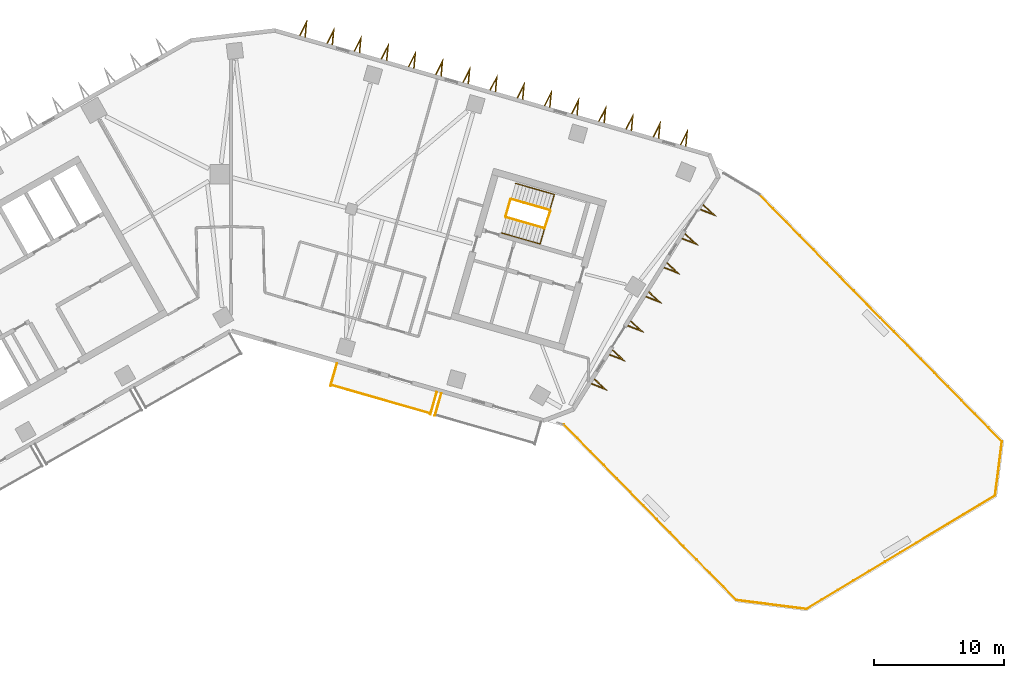
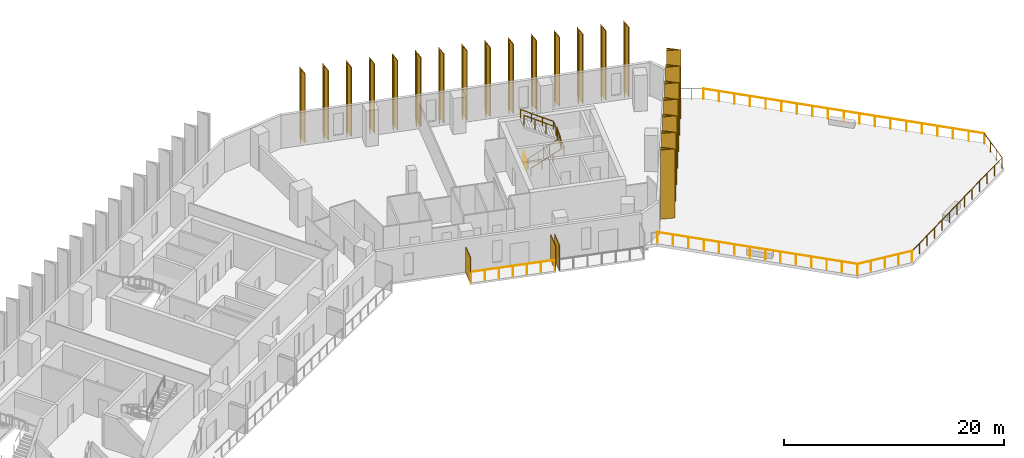
# One storey, part 10 of 12: 25 shading devices, 10 railings.
"""IFC4 building model written with IfcOpenShell, lengths in metres."""

from ifc_helpers import new_model, si_unit, direction, frame, origin, origin_2d, place, context, subcontext, project, spatial, polyline, rectangle, circle, outline, extrude, material, layer, layer_set, type_object, element, save


model = new_model("IFC4")

# Units and contexts
model_context = context("Model", 3, precision=1e-05, world=origin(), true_north=direction((0.0, 1.0)))
body_context = subcontext(model_context, "Body", "Model", "MODEL_VIEW")
ifc_project = project(units=[si_unit("LENGTHUNIT", "METRE"), si_unit("AREAUNIT", "SQUARE_METRE"), si_unit("VOLUMEUNIT", "CUBIC_METRE"), si_unit("PLANEANGLEUNIT", "RADIAN"), si_unit("MASSUNIT", "GRAM", prefix="KILO")], contexts=[model_context])

# Site, building, storey
site_placement = place(None, origin())
site = spatial("IfcSite", under=ifc_project, at=site_placement, CompositionType="ELEMENT")
building_placement = place(site_placement, origin())
building = spatial("IfcBuilding", under=site, at=building_placement, Name="Binnacle Exchange Tower", CompositionType="ELEMENT")
storey_placement = place(building_placement, frame((0.0, 0.0, 154.89990234375)))
storey = spatial("IfcBuildingStorey", under=building, at=storey_placement, Name="L32", CompositionType="ELEMENT", Elevation=154.89990234375)

# Railings
ifc_material_1 = material(Name="Bronze anodised aluminium frame", Category="aluminium")
railing_type_1 = type_object("IfcRailingType", Name="GUARD 1200", PredefinedType="GUARDRAIL", material=ifc_material_1)
railing_1_placement = place(storey_placement, frame((7.6845703125, 43.85107421875, 0.0)))
element("IfcRailing", 1, at=railing_1_placement, inside=storey, type_object=railing_type_1, Name="Balcony guard G02-B01 L32", PredefinedType="GUARDRAIL", context=body_context, shape_type="SweptSolid", body=[
    extrude(circle(Radius=0.02392578125, at=origin_2d()), frame((0.0, 0.0, 1.17578125), z_axis=(0.961265805968, -0.275623022035, 0.0), x_axis=(0.275623022035, 0.961265805968, 0.0)), (0.0, 0.0, 1.0), 7.900146484375),
    extrude(circle(Radius=0.02099609375, at=origin_2d()), origin(), (0.0, 0.0, 1.0), 1.15185546875),
    extrude(circle(Radius=0.02099609375, at=origin_2d()), frame((1.265625, -0.36279296875, 0.0)), (0.0, 0.0, 1.0), 1.15185546875),
    extrude(circle(Radius=0.02099609375, at=origin_2d()), frame((2.531494140625, -0.725830078125, 0.0)), (0.0, 0.0, 1.0), 1.15185546875),
    extrude(circle(Radius=0.02099609375, at=origin_2d()), frame((3.797119140625, -1.0888671875, 0.0)), (0.0, 0.0, 1.0), 1.15185546875),
    extrude(circle(Radius=0.02099609375, at=origin_2d()), frame((5.062744140625, -1.45166015625, 0.0)), (0.0, 0.0, 1.0), 1.15185546875),
    extrude(circle(Radius=0.02099609375, at=origin_2d()), frame((6.32861328125, -1.814453125, 0.0)), (0.0, 0.0, 1.0), 1.15185546875),
    extrude(circle(Radius=0.02099609375, at=origin_2d()), frame((7.59423828125, -2.177490234375, 0.0)), (0.0, 0.0, 1.0), 1.15185546875),
])
railing_2_placement = place(storey_placement, frame((25.543212890625, 40.811279296875, 0.0)))
element("IfcRailing", 2, at=railing_2_placement, inside=storey, type_object=railing_type_1, Name="Terrace guard 2 Terrace T3", PredefinedType="GUARDRAIL", context=body_context, shape_type="SweptSolid", body=[
    extrude(circle(Radius=0.02392578125, at=origin_2d()), frame((0.0, 0.0, 1.17578125), z_axis=(0.700904616523, -0.713255016482, 0.0), x_axis=(0.713255016482, 0.700904616523, 0.0)), (0.0, 0.0, 1.0), 18.8583984375),
    extrude(circle(Radius=0.02099609375, at=origin_2d()), origin(), (0.0, 0.0, 1.0), 1.15185546875),
    extrude(circle(Radius=0.02099609375, at=origin_2d()), frame((1.016845703125, -1.03466796875, 0.0)), (0.0, 0.0, 1.0), 1.15185546875),
    extrude(circle(Radius=0.02099609375, at=origin_2d()), frame((2.033447265625, -2.0693359375, 0.0)), (0.0, 0.0, 1.0), 1.15185546875),
    extrude(circle(Radius=0.02099609375, at=origin_2d()), frame((3.05029296875, -3.10400390625, 0.0)), (0.0, 0.0, 1.0), 1.15185546875),
    extrude(circle(Radius=0.02099609375, at=origin_2d()), frame((4.067138671875, -4.138671875, 0.0)), (0.0, 0.0, 1.0), 1.15185546875),
    extrude(circle(Radius=0.02099609375, at=origin_2d()), frame((5.083740234375, -5.17333984375, 0.0)), (0.0, 0.0, 1.0), 1.15185546875),
    extrude(circle(Radius=0.02099609375, at=origin_2d()), frame((6.1005859375, -6.2080078125, 0.0)), (0.0, 0.0, 1.0), 1.15185546875),
    extrude(circle(Radius=0.02099609375, at=origin_2d()), frame((7.117431640625, -7.242919921875, 0.0)), (0.0, 0.0, 1.0), 1.15185546875),
    extrude(circle(Radius=0.02099609375, at=origin_2d()), frame((8.13427734375, -8.277587890625, 0.0)), (0.0, 0.0, 1.0), 1.15185546875),
    extrude(circle(Radius=0.02099609375, at=origin_2d()), frame((9.15087890625, -9.312255859375, 0.0)), (0.0, 0.0, 1.0), 1.15185546875),
    extrude(circle(Radius=0.02099609375, at=origin_2d()), frame((10.167724609375, -10.346923828125, 0.0)), (0.0, 0.0, 1.0), 1.15185546875),
    extrude(circle(Radius=0.02099609375, at=origin_2d()), frame((11.1845703125, -11.381591796875, 0.0)), (0.0, 0.0, 1.0), 1.15185546875),
    extrude(circle(Radius=0.02099609375, at=origin_2d()), frame((12.201171875, -12.416259765625, 0.0)), (0.0, 0.0, 1.0), 1.15185546875),
    extrude(circle(Radius=0.02099609375, at=origin_2d()), frame((13.218017578125, -13.450927734375, 0.0)), (0.0, 0.0, 1.0), 1.15185546875),
])
railing_3_placement = place(storey_placement, frame((38.76123046875, 27.3603515625, 0.0)))
element("IfcRailing", 3, at=railing_3_placement, inside=storey, type_object=railing_type_1, Name="Terrace guard 3 Terrace T3", PredefinedType="GUARDRAIL", context=body_context, shape_type="SweptSolid", body=[
    extrude(circle(Radius=0.02392578125, at=origin_2d()), frame((0.0, 0.0, 1.17578125), z_axis=(0.992009555916, -0.126162755879, 0.0), x_axis=(0.126162755879, 0.992009555916, 0.0)), (0.0, 0.0, 1.0), 5.393310546875),
    extrude(circle(Radius=0.02099609375, at=origin_2d()), origin(), (0.0, 0.0, 1.0), 1.15185546875),
    extrude(circle(Radius=0.02099609375, at=origin_2d()), frame((1.33740234375, -0.170166015625, 0.0)), (0.0, 0.0, 1.0), 1.15185546875),
    extrude(circle(Radius=0.02099609375, at=origin_2d()), frame((2.675048828125, -0.34033203125, 0.0)), (0.0, 0.0, 1.0), 1.15185546875),
    extrude(circle(Radius=0.02099609375, at=origin_2d()), frame((4.0126953125, -0.51025390625, 0.0)), (0.0, 0.0, 1.0), 1.15185546875),
    extrude(circle(Radius=0.02099609375, at=origin_2d()), frame((5.35009765625, -0.680419921875, 0.0)), (0.0, 0.0, 1.0), 1.15185546875),
])
railing_4_placement = place(storey_placement, frame((44.111328125, 26.679931640625, 0.0)))
element("IfcRailing", 4, at=railing_4_placement, inside=storey, type_object=railing_type_1, Name="Terrace guard 4 Terrace T3", PredefinedType="GUARDRAIL", context=body_context, shape_type="SweptSolid", body=[
    extrude(circle(Radius=0.02392578125, at=origin_2d()), frame((0.0, 0.0, 1.17578125), z_axis=(0.857176183662, 0.515023290894, 0.0), x_axis=(-0.515023290894, 0.857176183662, 0.0)), (0.0, 0.0, 1.0), 16.875244140625),
    extrude(circle(Radius=0.02099609375, at=origin_2d()), origin(), (0.0, 0.0, 1.0), 1.15185546875),
    extrude(circle(Radius=0.02099609375, at=origin_2d()), frame((1.205322265625, 0.724365234375, 0.0)), (0.0, 0.0, 1.0), 1.15185546875),
    extrude(circle(Radius=0.02099609375, at=origin_2d()), frame((2.410888671875, 1.448486328125, 0.0)), (0.0, 0.0, 1.0), 1.15185546875),
    extrude(circle(Radius=0.02099609375, at=origin_2d()), frame((3.6162109375, 2.1728515625, 0.0)), (0.0, 0.0, 1.0), 1.15185546875),
    extrude(circle(Radius=0.02099609375, at=origin_2d()), frame((4.82177734375, 2.89697265625, 0.0)), (0.0, 0.0, 1.0), 1.15185546875),
    extrude(circle(Radius=0.02099609375, at=origin_2d()), frame((6.027099609375, 3.621337890625, 0.0)), (0.0, 0.0, 1.0), 1.15185546875),
    extrude(circle(Radius=0.02099609375, at=origin_2d()), frame((7.232421875, 4.345703125, 0.0)), (0.0, 0.0, 1.0), 1.15185546875),
    extrude(circle(Radius=0.02099609375, at=origin_2d()), frame((8.43798828125, 5.06982421875, 0.0)), (0.0, 0.0, 1.0), 1.15185546875),
    extrude(circle(Radius=0.02099609375, at=origin_2d()), frame((9.643310546875, 5.794189453125, 0.0)), (0.0, 0.0, 1.0), 1.15185546875),
    extrude(circle(Radius=0.02099609375, at=origin_2d()), frame((10.848876953125, 6.518310546875, 0.0)), (0.0, 0.0, 1.0), 1.15185546875),
    extrude(circle(Radius=0.02099609375, at=origin_2d()), frame((12.05419921875, 7.24267578125, 0.0)), (0.0, 0.0, 1.0), 1.15185546875),
    extrude(circle(Radius=0.02099609375, at=origin_2d()), frame((13.259765625, 7.966796875, 0.0)), (0.0, 0.0, 1.0), 1.15185546875),
    extrude(circle(Radius=0.02099609375, at=origin_2d()), frame((14.465087890625, 8.691162109375, 0.0)), (0.0, 0.0, 1.0), 1.15185546875),
])
railing_5_placement = place(storey_placement, frame((58.576416015625, 35.37109375, 0.0)))
element("IfcRailing", 5, at=railing_5_placement, inside=storey, type_object=railing_type_1, Name="Terrace guard 5 Terrace T3", PredefinedType="GUARDRAIL", context=body_context, shape_type="SweptSolid", body=[
    extrude(circle(Radius=0.02392578125, at=origin_2d()), frame((0.0, 0.0, 1.17578125), z_axis=(0.126201088976, 0.99200468, 0.0), x_axis=(-0.99200468, 0.126201088976, 0.0)), (0.0, 0.0, 1.0), 4.188232421875),
    extrude(circle(Radius=0.02099609375, at=origin_2d()), origin(), (0.0, 0.0, 1.0), 1.15185546875),
    extrude(circle(Radius=0.02099609375, at=origin_2d()), frame((0.17626953125, 1.385009765625, 0.0)), (0.0, 0.0, 1.0), 1.15185546875),
    extrude(circle(Radius=0.02099609375, at=origin_2d()), frame((0.352294921875, 2.769775390625, 0.0)), (0.0, 0.0, 1.0), 1.15185546875),
    extrude(circle(Radius=0.02099609375, at=origin_2d()), frame((0.528564453125, 4.15478515625, 0.0)), (0.0, 0.0, 1.0), 1.15185546875),
])
railing_6_placement = place(storey_placement, frame((59.10498046875, 39.52587890625, 0.0)))
element("IfcRailing", 6, at=railing_6_placement, inside=storey, type_object=railing_type_1, Name="Terrace guard 6 Terrace T3", PredefinedType="GUARDRAIL", context=body_context, shape_type="SweptSolid", body=[
    extrude(circle(Radius=0.02392578125, at=origin_2d()), frame((0.0, 0.0, 1.17578125), z_axis=(-0.700912878195, 0.713246897772, 0.0), x_axis=(-0.713246897772, -0.700912878195, 0.0)), (0.0, 0.0, 1.0), 26.524169921875),
    extrude(circle(Radius=0.02099609375, at=origin_2d()), origin(), (0.0, 0.0, 1.0), 1.15185546875),
    extrude(circle(Radius=0.02099609375, at=origin_2d()), frame((-1.03271484375, 1.051025390625, 0.0)), (0.0, 0.0, 1.0), 1.15185546875),
    extrude(circle(Radius=0.02099609375, at=origin_2d()), frame((-2.065673828125, 2.10205078125, 0.0)), (0.0, 0.0, 1.0), 1.15185546875),
    extrude(circle(Radius=0.02099609375, at=origin_2d()), frame((-3.0986328125, 3.153076171875, 0.0)), (0.0, 0.0, 1.0), 1.15185546875),
    extrude(circle(Radius=0.02099609375, at=origin_2d()), frame((-4.13134765625, 4.2041015625, 0.0)), (0.0, 0.0, 1.0), 1.15185546875),
    extrude(circle(Radius=0.02099609375, at=origin_2d()), frame((-5.1640625, 5.255126953125, 0.0)), (0.0, 0.0, 1.0), 1.15185546875),
    extrude(circle(Radius=0.02099609375, at=origin_2d()), frame((-6.197021484375, 6.30615234375, 0.0)), (0.0, 0.0, 1.0), 1.15185546875),
    extrude(circle(Radius=0.02099609375, at=origin_2d()), frame((-7.22998046875, 7.357177734375, 0.0)), (0.0, 0.0, 1.0), 1.15185546875),
    extrude(circle(Radius=0.02099609375, at=origin_2d()), frame((-8.2626953125, 8.408203125, 0.0)), (0.0, 0.0, 1.0), 1.15185546875),
    extrude(circle(Radius=0.02099609375, at=origin_2d()), frame((-9.29541015625, 9.458984375, 0.0)), (0.0, 0.0, 1.0), 1.15185546875),
    extrude(circle(Radius=0.02099609375, at=origin_2d()), frame((-10.328369140625, 10.510009765625, 0.0)), (0.0, 0.0, 1.0), 1.15185546875),
    extrude(circle(Radius=0.02099609375, at=origin_2d()), frame((-11.361328125, 11.56103515625, 0.0)), (0.0, 0.0, 1.0), 1.15185546875),
    extrude(circle(Radius=0.02099609375, at=origin_2d()), frame((-12.39404296875, 12.612060546875, 0.0)), (0.0, 0.0, 1.0), 1.15185546875),
    extrude(circle(Radius=0.02099609375, at=origin_2d()), frame((-13.4267578125, 13.6630859375, 0.0)), (0.0, 0.0, 1.0), 1.15185546875),
    extrude(circle(Radius=0.02099609375, at=origin_2d()), frame((-14.459716796875, 14.714111328125, 0.0)), (0.0, 0.0, 1.0), 1.15185546875),
    extrude(circle(Radius=0.02099609375, at=origin_2d()), frame((-15.49267578125, 15.76513671875, 0.0)), (0.0, 0.0, 1.0), 1.15185546875),
    extrude(circle(Radius=0.02099609375, at=origin_2d()), frame((-16.525390625, 16.816162109375, 0.0)), (0.0, 0.0, 1.0), 1.15185546875),
    extrude(circle(Radius=0.02099609375, at=origin_2d()), frame((-17.55810546875, 17.8671875, 0.0)), (0.0, 0.0, 1.0), 1.15185546875),
    extrude(circle(Radius=0.02099609375, at=origin_2d()), frame((-18.591064453125, 18.918212890625, 0.0)), (0.0, 0.0, 1.0), 1.15185546875),
])

# Shading devices
ifc_material_2 = material(Name="Bronze aluminium louvre", Category="aluminium")
ifc_layer = layer(ifc_material_2, 0.06005859375)
ifc_layer_set = layer_set([ifc_layer], Name="PLANTED SCREEN 60x2800")
shading_device_type_1 = type_object("IfcShadingDeviceType", Name="PLANTED SCREEN 60x2800", PredefinedType="USERDEFINED", material=ifc_layer_set)
for number, where, z_axis, x_axis, name in (
    (7, (7.881591796875, 44.647705078125, 0.0), (0.0, 0.0, 1.0), (0.961261695938, -0.275637355817, 0.0), "Planted screen G02-B01a L32"),
    (8, (15.53369140625, 42.45361328125, 0.0), (0.0, 0.0, 1.0), (0.961261695938, -0.275637355817, 0.0), "Planted screen G02-B01b L32"),
    (9, (15.8798828125, 42.354248046875, 0.0), (0.0, 0.0, 1.0), (0.961261695938, -0.275637355817, 0.0), "Planted screen G02-B02a L32"),
):
    element("IfcShadingDevice", number, at=place(storey_placement, frame(where, z_axis=z_axis, x_axis=x_axis)), inside=storey, type_object=shading_device_type_1, Name=name, ObjectType="SCREEN", PredefinedType="USERDEFINED", context=body_context, shape_type="SweptSolid", body=[
        extrude(rectangle(XDim=0.06005859375, YDim=1.800048828125, at=origin_2d()), origin(), (0.0, 0.0, 1.0), 2.800048828125),
    ])

# Railings
ifc_material_3 = material(Name="Steel guard rail", Category="steel")
railing_type_2 = type_object("IfcRailingType", Name="STAIR GUARD 1100", PredefinedType="GUARDRAIL", material=ifc_material_3)
railing_7_placement = place(storey_placement, frame((21.086669921875, 56.71044921875, 0.166748046875)))
element("IfcRailing", 10, at=railing_7_placement, inside=storey, type_object=railing_type_2, Name="L32 STD1 stair guard 1", PredefinedType="GUARDRAIL", context=body_context, shape_type="SweptSolid", body=[
    extrude(circle(Radius=0.02392578125, at=origin_2d()), frame((0.0, 0.0, 1.076171875), z_axis=(0.826006950853, -0.236897186037, 0.511460888427), x_axis=(0.27568413623, 0.961248280639, 0.0)), (0.0, 0.0, 1.0), 3.584228515625),
    extrude(circle(Radius=0.02392578125, at=origin_2d()), frame((2.960693359375, -0.84912109375, 2.9091796875), z_axis=(0.309684985722, 0.950839213337, 0.0), x_axis=(-0.950839213337, 0.309684985722, 0.0)), (0.0, 0.0, 1.0), 1.40087890625),
    extrude(circle(Radius=0.02099609375, at=origin_2d()), origin(), (0.0, 0.0, 1.0), 1.052001953125),
    extrude(circle(Radius=0.02099609375, at=origin_2d()), frame((0.98681640625, -0.282958984375, 0.611083984375)), (0.0, 0.0, 1.0), 1.052001953125),
    extrude(circle(Radius=0.02099609375, at=origin_2d()), frame((1.973876953125, -0.566162109375, 1.22216796875)), (0.0, 0.0, 1.0), 1.052001953125),
    extrude(circle(Radius=0.02099609375, at=origin_2d()), frame((2.960693359375, -0.84912109375, 1.833251953125)), (0.0, 0.0, 1.0), 1.052001953125),
    extrude(circle(Radius=0.02099609375, at=origin_2d()), frame((3.177734375, -0.18310546875, 1.833251953125)), (0.0, 0.0, 1.0), 1.052001953125),
    extrude(circle(Radius=0.02099609375, at=origin_2d()), frame((3.39453125, 0.48291015625, 1.833251953125)), (0.0, 0.0, 1.0), 1.052001953125),
])
railing_8_placement = place(storey_placement, frame((24.447021484375, 57.255126953125, 2.166748046875)))
element("IfcRailing", 11, at=railing_8_placement, inside=storey, type_object=railing_type_2, Name="L32 STD1 stair guard 2", PredefinedType="GUARDRAIL", context=body_context, shape_type="SweptSolid", body=[
    extrude(circle(Radius=0.02392578125, at=origin_2d()), frame((0.0, 0.0, 1.076171875), z_axis=(-0.826006950853, 0.236897186037, 0.511460888427), x_axis=(-0.27568413623, -0.961248280639, 0.0)), (0.0, 0.0, 1.0), 3.584228515625),
    extrude(circle(Radius=0.02099609375, at=origin_2d()), origin(), (0.0, 0.0, 1.0), 1.052001953125),
    extrude(circle(Radius=0.02099609375, at=origin_2d()), frame((-0.98681640625, 0.282958984375, 0.611083984375)), (0.0, 0.0, 1.0), 1.052001953125),
    extrude(circle(Radius=0.02099609375, at=origin_2d()), frame((-1.973876953125, 0.566162109375, 1.22216796875)), (0.0, 0.0, 1.0), 1.052001953125),
    extrude(circle(Radius=0.02099609375, at=origin_2d()), frame((-2.960693359375, 0.84912109375, 1.833251953125)), (0.0, 0.0, 1.0), 1.052001953125),
])
railing_9_placement = place(storey_placement, frame((21.05224609375, 56.772216796875, 0.0)))
element("IfcRailing", 12, at=railing_9_placement, inside=storey, type_object=railing_type_2, Name="L32 STD1 stair guard 3", PredefinedType="GUARDRAIL", context=body_context, shape_type="SweptSolid", body=[
    extrude(circle(Radius=0.02392578125, at=origin_2d()), frame((0.0, 0.0, 1.076171875), z_axis=(0.275795817769, 0.961216243569, 0.0), x_axis=(-0.961216243569, 0.275795817769, 0.0)), (0.0, 0.0, 1.0), 1.349853515625),
    extrude(circle(Radius=0.02099609375, at=origin_2d()), origin(), (0.0, 0.0, 1.0), 1.052001953125),
    extrude(circle(Radius=0.02099609375, at=origin_2d()), frame((0.18603515625, 0.64892578125, 0.0)), (0.0, 0.0, 1.0), 1.052001953125),
    extrude(circle(Radius=0.02099609375, at=origin_2d()), frame((0.372314453125, 1.297607421875, 0.0)), (0.0, 0.0, 1.0), 1.052001953125),
])
ifc_material_4 = material(Name="Steel handrail", Category="steel")
railing_type_3 = type_object("IfcRailingType", Name="STAIR HANDRAIL 900", PredefinedType="HANDRAIL", material=ifc_material_4)
railing_10_placement = place(storey_placement, frame((20.7421875, 55.5087890625, 0.166748046875)))
element("IfcRailing", 13, at=railing_10_placement, inside=storey, type_object=railing_type_3, Name="L32 STD1 stair handrail 1", PredefinedType="HANDRAIL", context=body_context, shape_type="SweptSolid", body=[
    extrude(circle(Radius=0.02392578125, at=origin_2d()), frame((0.0, 0.0, 0.8759765625), z_axis=(0.826020277534, -0.236832893954, 0.511469140266), x_axis=(0.275610892984, 0.961269283639, 0.0)), (0.0, 0.0, 1.0), 3.584228515625),
    extrude(circle(Radius=0.02392578125, at=origin_2d()), frame((2.960693359375, -0.848876953125, 2.708984375), z_axis=(0.275365570671, 0.960413849534, 0.042178668932), x_axis=(-0.961269298493, 0.275610841177, 0.0)), (0.0, 0.0, 1.0), 3.953369140625),
    extrude(circle(Radius=0.02392578125, at=origin_2d()), frame((4.04931640625, 2.947998046875, 2.8759765625), z_axis=(-0.826020277534, 0.236832893954, 0.511469140266), x_axis=(-0.275610892984, -0.961269283639, 0.0)), (0.0, 0.0, 1.0), 3.584228515625),
    extrude(circle(Radius=0.02099609375, at=origin_2d()), origin(), (0.0, 0.0, 1.0), 0.851806640625),
    extrude(circle(Radius=0.02099609375, at=origin_2d()), frame((0.98681640625, -0.282958984375, 0.611083984375)), (0.0, 0.0, 1.0), 0.851806640625),
    extrude(circle(Radius=0.02099609375, at=origin_2d()), frame((1.973876953125, -0.56591796875, 1.22216796875)), (0.0, 0.0, 1.0), 0.851806640625),
    extrude(circle(Radius=0.02099609375, at=origin_2d()), frame((2.960693359375, -0.848876953125, 1.833251953125)), (0.0, 0.0, 1.0), 0.851806640625),
    extrude(circle(Radius=0.02099609375, at=origin_2d()), frame((3.23291015625, 0.100341796875, 1.875)), (0.0, 0.0, 1.0), 0.851806640625),
    extrude(circle(Radius=0.02099609375, at=origin_2d()), frame((3.5048828125, 1.049560546875, 1.91650390625)), (0.0, 0.0, 1.0), 0.851806640625),
    extrude(circle(Radius=0.02099609375, at=origin_2d()), frame((3.777099609375, 1.998779296875, 1.958251953125)), (0.0, 0.0, 1.0), 0.851806640625),
    extrude(circle(Radius=0.02099609375, at=origin_2d()), frame((4.04931640625, 2.947998046875, 2.0)), (0.0, 0.0, 1.0), 0.851806640625),
    extrude(circle(Radius=0.02099609375, at=origin_2d()), frame((3.0625, 3.23095703125, 2.611083984375)), (0.0, 0.0, 1.0), 0.851806640625),
    extrude(circle(Radius=0.02099609375, at=origin_2d()), frame((2.075439453125, 3.513916015625, 3.22216796875)), (0.0, 0.0, 1.0), 0.851806640625),
    extrude(circle(Radius=0.02099609375, at=origin_2d()), frame((1.088623046875, 3.796875, 3.833251953125)), (0.0, 0.0, 1.0), 0.851806640625),
])

# Shading devices
ifc_material_5 = material(Name="Bronze aluminium cladding", Category="aluminium")
shading_device_type_2 = type_object("IfcShadingDeviceType", Name="V FIN 1300 DEEP x 7680 HIGH", PredefinedType="USERDEFINED", material=ifc_material_5)
shading_device_1_placement = place(storey_placement, origin())
element("IfcShadingDevice", 14, at=shading_device_1_placement, inside=storey, type_object=shading_device_type_2, Name="V fin FN-G04-01 L32", ObjectType="FIN", PredefinedType="USERDEFINED", context=body_context, shape_type="SweptSolid", body=[
    extrude(outline(polyline([(27.61669921875, 43.9130859375), (28.851806640625, 43.43603515625), (27.881591796875, 44.3369140625), (27.83837890625, 44.267822265625), (28.492431640625, 43.66064453125), (27.659912109375, 43.982177734375), (27.61669921875, 43.9130859375)])), origin(), (0.0, 0.0, 1.0), 7.68017578125),
])
shading_device_2_placement = place(storey_placement, origin())
element("IfcShadingDevice", 15, at=shading_device_2_placement, inside=storey, type_object=shading_device_type_2, Name="V fin FN-G04-02 L32", ObjectType="FIN", PredefinedType="USERDEFINED", context=body_context, shape_type="SweptSolid", body=[
    extrude(outline(polyline([(29.0078125, 46.13916015625), (30.242919921875, 45.662353515625), (29.272705078125, 46.563232421875), (29.2294921875, 46.494140625), (29.883544921875, 45.88671875), (29.051025390625, 46.208251953125), (29.0078125, 46.13916015625)])), origin(), (0.0, 0.0, 1.0), 7.68017578125),
])
shading_device_3_placement = place(storey_placement, origin())
element("IfcShadingDevice", 16, at=shading_device_3_placement, inside=storey, type_object=shading_device_type_2, Name="V fin FN-G04-03 L32", ObjectType="FIN", PredefinedType="USERDEFINED", context=body_context, shape_type="SweptSolid", body=[
    extrude(outline(polyline([(30.398681640625, 48.365234375), (31.6337890625, 47.888427734375), (30.663818359375, 48.789306640625), (30.62060546875, 48.72021484375), (31.2744140625, 48.11279296875), (30.44189453125, 48.434326171875), (30.398681640625, 48.365234375)])), origin(), (0.0, 0.0, 1.0), 7.68017578125),
])
shading_device_4_placement = place(storey_placement, origin())
element("IfcShadingDevice", 17, at=shading_device_4_placement, inside=storey, type_object=shading_device_type_2, Name="V fin FN-G04-04 L32", ObjectType="FIN", PredefinedType="USERDEFINED", context=body_context, shape_type="SweptSolid", body=[
    extrude(outline(polyline([(31.789794921875, 50.59130859375), (33.02490234375, 50.114501953125), (32.054931640625, 51.015380859375), (32.01171875, 50.9462890625), (32.66552734375, 50.339111328125), (31.8330078125, 50.660400390625), (31.789794921875, 50.59130859375)])), origin(), (0.0, 0.0, 1.0), 7.68017578125),
])
shading_device_5_placement = place(storey_placement, origin())
element("IfcShadingDevice", 18, at=shading_device_5_placement, inside=storey, type_object=shading_device_type_2, Name="V fin FN-G04-05 L32", ObjectType="FIN", PredefinedType="USERDEFINED", context=body_context, shape_type="SweptSolid", body=[
    extrude(outline(polyline([(33.180908203125, 52.8173828125), (34.416015625, 52.340576171875), (33.44580078125, 53.241455078125), (33.402587890625, 53.17236328125), (34.056640625, 52.565185546875), (33.22412109375, 52.88671875), (33.180908203125, 52.8173828125)])), origin(), (0.0, 0.0, 1.0), 7.68017578125),
])
shading_device_6_placement = place(storey_placement, origin())
element("IfcShadingDevice", 19, at=shading_device_6_placement, inside=storey, type_object=shading_device_type_2, Name="V fin FN-G04-06 L32", ObjectType="FIN", PredefinedType="USERDEFINED", context=body_context, shape_type="SweptSolid", body=[
    extrude(outline(polyline([(34.572021484375, 55.043701171875), (35.806884765625, 54.56689453125), (34.8369140625, 55.4677734375), (34.793701171875, 55.398681640625), (35.447509765625, 54.791259765625), (34.614990234375, 55.11279296875), (34.572021484375, 55.043701171875)])), origin(), (0.0, 0.0, 1.0), 7.68017578125),
])
shading_device_7_placement = place(storey_placement, origin())
element("IfcShadingDevice", 20, at=shading_device_7_placement, inside=storey, type_object=shading_device_type_2, Name="V fin FN-G04-07 L32", ObjectType="FIN", PredefinedType="USERDEFINED", context=body_context, shape_type="SweptSolid", body=[
    extrude(outline(polyline([(35.962890625, 57.269775390625), (37.197998046875, 56.79296875), (36.22802734375, 57.69384765625), (36.184814453125, 57.624755859375), (36.838623046875, 57.017333984375), (36.006103515625, 57.3388671875), (35.962890625, 57.269775390625)])), origin(), (0.0, 0.0, 1.0), 7.68017578125),
])
shading_device_8_placement = place(storey_placement, origin())
element("IfcShadingDevice", 21, at=shading_device_8_placement, inside=storey, type_object=shading_device_type_2, Name="V fin FN-G06-01 L32", ObjectType="FIN", PredefinedType="USERDEFINED", context=body_context, shape_type="SweptSolid", body=[
    extrude(outline(polyline([(34.90966796875, 62.145751953125), (35.027587890625, 63.46435546875), (34.42919921875, 62.28369140625), (34.50732421875, 62.26123046875), (34.910888671875, 63.05712890625), (34.831298828125, 62.168212890625), (34.90966796875, 62.145751953125)])), origin(), (0.0, 0.0, 1.0), 7.68017578125),
])
shading_device_9_placement = place(storey_placement, origin())
element("IfcShadingDevice", 22, at=shading_device_9_placement, inside=storey, type_object=shading_device_type_2, Name="V fin FN-G06-02 L32", ObjectType="FIN", PredefinedType="USERDEFINED", context=body_context, shape_type="SweptSolid", body=[
    extrude(outline(polyline([(32.825439453125, 62.743408203125), (32.943359375, 64.06201171875), (32.3447265625, 62.88134765625), (32.423095703125, 62.85888671875), (32.82666015625, 63.65478515625), (32.7470703125, 62.765869140625), (32.825439453125, 62.743408203125)])), origin(), (0.0, 0.0, 1.0), 7.68017578125),
])
shading_device_10_placement = place(storey_placement, origin())
element("IfcShadingDevice", 23, at=shading_device_10_placement, inside=storey, type_object=shading_device_type_2, Name="V fin FN-G06-03 L32", ObjectType="FIN", PredefinedType="USERDEFINED", context=body_context, shape_type="SweptSolid", body=[
    extrude(outline(polyline([(30.7412109375, 63.341064453125), (30.859130859375, 64.65966796875), (30.260498046875, 63.47900390625), (30.3388671875, 63.45654296875), (30.742431640625, 64.25244140625), (30.662841796875, 63.363525390625), (30.7412109375, 63.341064453125)])), origin(), (0.0, 0.0, 1.0), 7.68017578125),
])
shading_device_11_placement = place(storey_placement, origin())
element("IfcShadingDevice", 24, at=shading_device_11_placement, inside=storey, type_object=shading_device_type_2, Name="V fin FN-G06-04 L32", ObjectType="FIN", PredefinedType="USERDEFINED", context=body_context, shape_type="SweptSolid", body=[
    extrude(outline(polyline([(28.656982421875, 63.938720703125), (28.77490234375, 65.25732421875), (28.17626953125, 64.07666015625), (28.254638671875, 64.05419921875), (28.658203125, 64.85009765625), (28.57861328125, 63.961181640625), (28.656982421875, 63.938720703125)])), origin(), (0.0, 0.0, 1.0), 7.68017578125),
])
shading_device_12_placement = place(storey_placement, origin())
element("IfcShadingDevice", 25, at=shading_device_12_placement, inside=storey, type_object=shading_device_type_2, Name="V fin FN-G06-05 L32", ObjectType="FIN", PredefinedType="USERDEFINED", context=body_context, shape_type="SweptSolid", body=[
    extrude(outline(polyline([(26.57275390625, 64.536376953125), (26.690673828125, 65.85498046875), (26.092041015625, 64.67431640625), (26.17041015625, 64.65185546875), (26.573974609375, 65.44775390625), (26.494384765625, 64.558837890625), (26.57275390625, 64.536376953125)])), origin(), (0.0, 0.0, 1.0), 7.68017578125),
])
shading_device_13_placement = place(storey_placement, origin())
element("IfcShadingDevice", 26, at=shading_device_13_placement, inside=storey, type_object=shading_device_type_2, Name="V fin FN-G06-06 L32", ObjectType="FIN", PredefinedType="USERDEFINED", context=body_context, shape_type="SweptSolid", body=[
    extrude(outline(polyline([(24.488525390625, 65.134033203125), (24.6064453125, 66.45263671875), (24.0078125, 65.27197265625), (24.086181640625, 65.24951171875), (24.48974609375, 66.04541015625), (24.41015625, 65.156494140625), (24.488525390625, 65.134033203125)])), origin(), (0.0, 0.0, 1.0), 7.68017578125),
])
shading_device_14_placement = place(storey_placement, origin())
element("IfcShadingDevice", 27, at=shading_device_14_placement, inside=storey, type_object=shading_device_type_2, Name="V fin FN-G06-07 L32", ObjectType="FIN", PredefinedType="USERDEFINED", context=body_context, shape_type="SweptSolid", body=[
    extrude(outline(polyline([(22.404296875, 65.731689453125), (22.522216796875, 67.05029296875), (21.923583984375, 65.869384765625), (22.001953125, 65.84716796875), (22.405517578125, 66.64306640625), (22.325927734375, 65.754150390625), (22.404296875, 65.731689453125)])), origin(), (0.0, 0.0, 1.0), 7.68017578125),
])
shading_device_15_placement = place(storey_placement, origin())
element("IfcShadingDevice", 28, at=shading_device_15_placement, inside=storey, type_object=shading_device_type_2, Name="V fin FN-G06-08 L32", ObjectType="FIN", PredefinedType="USERDEFINED", context=body_context, shape_type="SweptSolid", body=[
    extrude(outline(polyline([(20.320068359375, 66.329345703125), (20.43798828125, 67.64794921875), (19.83935546875, 66.46728515625), (19.917724609375, 66.44482421875), (20.3212890625, 67.24072265625), (20.24169921875, 66.351806640625), (20.320068359375, 66.329345703125)])), origin(), (0.0, 0.0, 1.0), 7.68017578125),
])
shading_device_16_placement = place(storey_placement, origin())
element("IfcShadingDevice", 29, at=shading_device_16_placement, inside=storey, type_object=shading_device_type_2, Name="V fin FN-G06-09 L32", ObjectType="FIN", PredefinedType="USERDEFINED", context=body_context, shape_type="SweptSolid", body=[
    extrude(outline(polyline([(18.23583984375, 66.927001953125), (18.353759765625, 68.24560546875), (17.755126953125, 67.064697265625), (17.83349609375, 67.04248046875), (18.237060546875, 67.83837890625), (18.157470703125, 66.949462890625), (18.23583984375, 66.927001953125)])), origin(), (0.0, 0.0, 1.0), 7.68017578125),
])
shading_device_17_placement = place(storey_placement, origin())
element("IfcShadingDevice", 30, at=shading_device_17_placement, inside=storey, type_object=shading_device_type_2, Name="V fin FN-G06-10 L32", ObjectType="FIN", PredefinedType="USERDEFINED", context=body_context, shape_type="SweptSolid", body=[
    extrude(outline(polyline([(16.151611328125, 67.524658203125), (16.26953125, 68.84326171875), (15.6708984375, 67.66259765625), (15.749267578125, 67.64013671875), (16.15283203125, 68.43603515625), (16.0732421875, 67.547119140625), (16.151611328125, 67.524658203125)])), origin(), (0.0, 0.0, 1.0), 7.68017578125),
])
shading_device_18_placement = place(storey_placement, origin())
element("IfcShadingDevice", 31, at=shading_device_18_placement, inside=storey, type_object=shading_device_type_2, Name="V fin FN-G06-11 L32", ObjectType="FIN", PredefinedType="USERDEFINED", context=body_context, shape_type="SweptSolid", body=[
    extrude(outline(polyline([(14.0673828125, 68.122314453125), (14.185302734375, 69.44091796875), (13.586669921875, 68.260009765625), (13.6650390625, 68.23779296875), (14.068603515625, 69.03369140625), (13.989013671875, 68.144775390625), (14.0673828125, 68.122314453125)])), origin(), (0.0, 0.0, 1.0), 7.68017578125),
])
shading_device_19_placement = place(storey_placement, origin())
element("IfcShadingDevice", 32, at=shading_device_19_placement, inside=storey, type_object=shading_device_type_2, Name="V fin FN-G06-12 L32", ObjectType="FIN", PredefinedType="USERDEFINED", context=body_context, shape_type="SweptSolid", body=[
    extrude(outline(polyline([(11.98291015625, 68.719970703125), (12.10107421875, 70.03857421875), (11.50244140625, 68.85791015625), (11.580810546875, 68.83544921875), (11.984375, 69.63134765625), (11.90478515625, 68.742431640625), (11.98291015625, 68.719970703125)])), origin(), (0.0, 0.0, 1.0), 7.68017578125),
])
shading_device_20_placement = place(storey_placement, origin())
element("IfcShadingDevice", 33, at=shading_device_20_placement, inside=storey, type_object=shading_device_type_2, Name="V fin FN-G06-13 L32", ObjectType="FIN", PredefinedType="USERDEFINED", context=body_context, shape_type="SweptSolid", body=[
    extrude(outline(polyline([(9.898681640625, 69.317626953125), (10.016845703125, 70.635986328125), (9.418212890625, 69.455322265625), (9.49658203125, 69.43310546875), (9.900146484375, 70.22900390625), (9.820556640625, 69.340087890625), (9.898681640625, 69.317626953125)])), origin(), (0.0, 0.0, 1.0), 7.68017578125),
])
shading_device_21_placement = place(storey_placement, origin())
element("IfcShadingDevice", 34, at=shading_device_21_placement, inside=storey, type_object=shading_device_type_2, Name="V fin FN-G06-14 L32", ObjectType="FIN", PredefinedType="USERDEFINED", context=body_context, shape_type="SweptSolid", body=[
    extrude(outline(polyline([(7.814453125, 69.915283203125), (7.9326171875, 71.233642578125), (7.333984375, 70.052978515625), (7.412109375, 70.030517578125), (7.81591796875, 70.826416015625), (7.736083984375, 69.9375), (7.814453125, 69.915283203125)])), origin(), (0.0, 0.0, 1.0), 7.68017578125),
])
shading_device_22_placement = place(storey_placement, origin())
element("IfcShadingDevice", 35, at=shading_device_22_placement, inside=storey, type_object=shading_device_type_2, Name="V fin FN-G06-15 L32", ObjectType="FIN", PredefinedType="USERDEFINED", context=body_context, shape_type="SweptSolid", body=[
    extrude(outline(polyline([(5.730224609375, 70.512939453125), (5.84814453125, 71.831298828125), (5.24951171875, 70.650634765625), (5.327880859375, 70.62841796875), (5.7314453125, 71.42431640625), (5.65185546875, 70.535400390625), (5.730224609375, 70.512939453125)])), origin(), (0.0, 0.0, 1.0), 7.68017578125),
])

save(model, "model.ifc")
